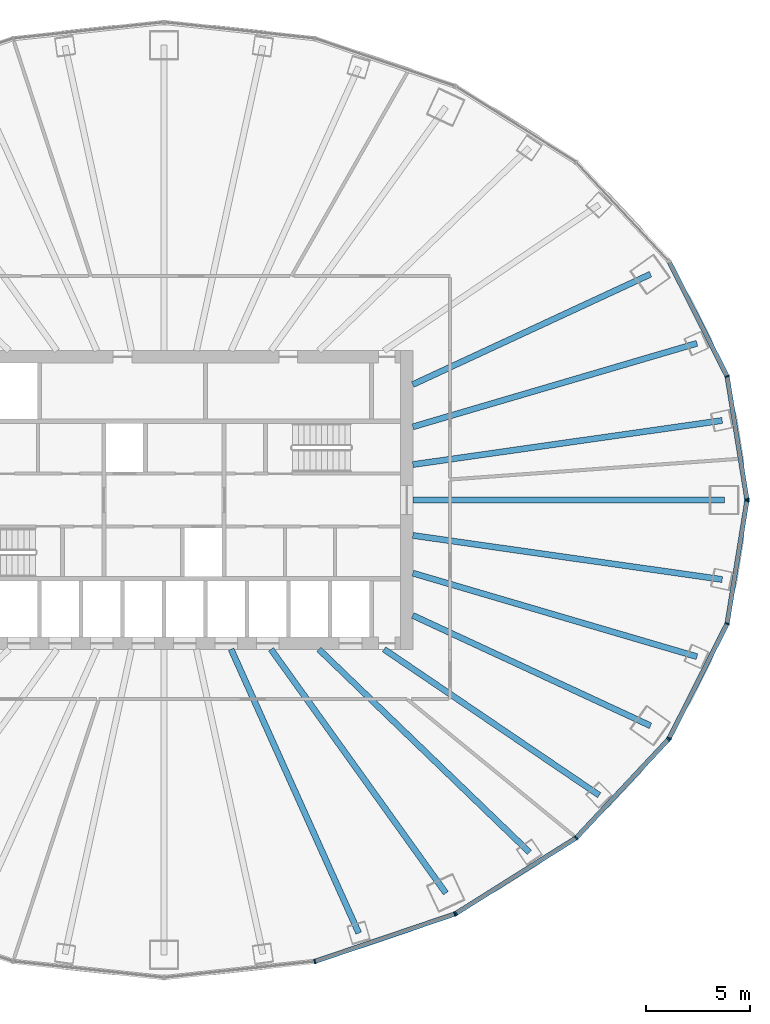
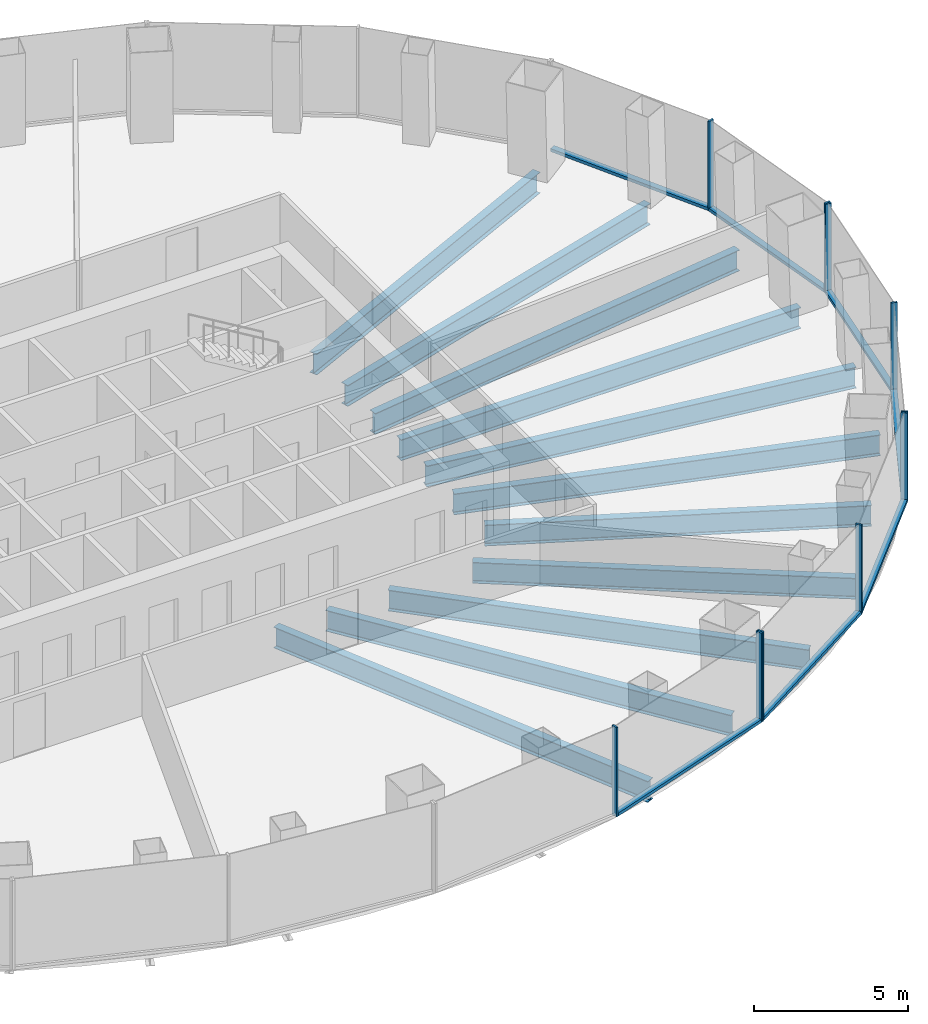
# One storey, part 4 of 11: 17 members, 11 beams, 4 elements without a shape of their own.
"""IFC4 building model written with IfcOpenShell, lengths in metres."""

from ifc_helpers import new_model, si_unit, direction, frame, origin, origin_2d, place, context, subcontext, project, spatial, rectangle, i_section, extrude, material, layer, layer_set, material_profile, profile_set, type_object, element, aggregate, save


model = new_model("IFC4")

# Units and contexts
model_context = context("Model", 3, precision=1e-05, world=origin(), true_north=direction((0.0, 1.0)))
body_context = subcontext(model_context, "Body", "Model", "MODEL_VIEW")
ifc_project = project(units=[si_unit("LENGTHUNIT", "METRE"), si_unit("AREAUNIT", "SQUARE_METRE"), si_unit("VOLUMEUNIT", "CUBIC_METRE"), si_unit("PLANEANGLEUNIT", "RADIAN"), si_unit("MASSUNIT", "GRAM", prefix="KILO")], contexts=[model_context])

# Site, building, storey
site_placement = place(None, origin())
site = spatial("IfcSite", under=ifc_project, at=site_placement, CompositionType="ELEMENT")
building_placement = place(site_placement, origin())
building = spatial("IfcBuilding", under=site, at=building_placement, Name="Siaravel Broadcast Tower", CompositionType="ELEMENT")
storey_placement = place(building_placement, frame((0.0, 0.0, 40.800048828125)))
storey = spatial("IfcBuildingStorey", under=building, at=storey_placement, Name="L08", CompositionType="ELEMENT", Elevation=40.800048828125)

# Beams
ifc_material_1 = material(Name="Steel S355", Category="steel")
ifc_material_profile_1 = material_profile(ifc_material_1, i_section(OverallWidth=0.291748046875, OverallDepth=0.8349609375, WebThickness=0.013916015625, FlangeThickness=0.018798828125, FilletRadius=0.017822265625, at=origin_2d()))
ifc_profile_set_1 = profile_set([ifc_material_profile_1], Name="Steel S355")
beam_type = type_object("IfcBeamType", Name="BM-UB 838x292x176", PredefinedType="BEAM", material=ifc_profile_set_1)
beam_1_placement = place(storey_placement, frame((27.0302734375, 0.0, -0.567626953125), z_axis=(-1.0, 0.0, 0.0), x_axis=(0.0, -1.0, 0.0)))
element("IfcBeam", 1, at=beam_1_placement, inside=storey, type_object=beam_type, Name="Radial beam RB01", PredefinedType="BEAM", context=body_context, shape_type="SweptSolid", body=[
    extrude(i_section(OverallWidth=0.291748046875, OverallDepth=0.8349609375, WebThickness=0.013916015625, FlangeThickness=0.018798828125, FilletRadius=0.017822265625, at=origin_2d()), origin(), (0.0, 0.0, 1.0), 15.0302734375),
])
beam_2_placement = place(storey_placement, frame((26.920654296875, 3.832763671875, -0.567626953125), z_axis=(-0.99001677, -0.140949618, 0.0), x_axis=(0.140949618, -0.99001677, 0.0)))
element("IfcBeam", 2, at=beam_2_placement, inside=storey, type_object=beam_type, Name="Radial beam RB02", PredefinedType="BEAM", context=body_context, shape_type="SweptSolid", body=[
    extrude(i_section(OverallWidth=0.291748046875, OverallDepth=0.8349609375, WebThickness=0.013916015625, FlangeThickness=0.018798828125, FilletRadius=0.017822265625, at=origin_2d()), origin(), (0.0, 0.0, 1.0), 15.071044921875),
])
beam_3_placement = place(storey_placement, frame((25.70263671875, 7.555908203125, -0.567626953125), z_axis=(-0.959400879, -0.282046013, 0.0), x_axis=(0.282046013, -0.959400879, 0.0)))
element("IfcBeam", 3, at=beam_3_placement, inside=storey, type_object=beam_type, Name="Radial beam RB03", PredefinedType="BEAM", context=body_context, shape_type="SweptSolid", body=[
    extrude(i_section(OverallWidth=0.291748046875, OverallDepth=0.8349609375, WebThickness=0.013916015625, FlangeThickness=0.018798828125, FilletRadius=0.017822265625, at=origin_2d()), origin(), (0.0, 0.0, 1.0), 14.282470703125),
])
beam_4_placement = place(storey_placement, frame((23.46240234375, 10.88720703125, -0.567626953125), z_axis=(-0.907099082, -0.420917159, 0.0), x_axis=(0.420917159, -0.907099082, 0.0)))
element("IfcBeam", 4, at=beam_4_placement, inside=storey, type_object=beam_type, Name="Radial beam RB04", PredefinedType="BEAM", context=body_context, shape_type="SweptSolid", body=[
    extrude(i_section(OverallWidth=0.291748046875, OverallDepth=0.8349609375, WebThickness=0.013916015625, FlangeThickness=0.018798828125, FilletRadius=0.017822265625, at=origin_2d()), origin(), (0.0, 0.0, 1.0), 12.63623046875),
])
beam_5_placement = place(storey_placement, frame((9.392578125, -20.885498046875, -0.567626953125), z_axis=(-0.410159013, 0.912014026, 0.0), x_axis=(-0.912014026, -0.410159013, 0.0)))
element("IfcBeam", 5, at=beam_5_placement, inside=storey, type_object=beam_type, Name="Radial beam RB30", PredefinedType="BEAM", context=body_context, shape_type="SweptSolid", body=[
    extrude(i_section(OverallWidth=0.291748046875, OverallDepth=0.8349609375, WebThickness=0.013916015625, FlangeThickness=0.018798828125, FilletRadius=0.017822265625, at=origin_2d()), origin(), (0.0, 0.0, 1.0), 15.005859375),
])
beam_6_placement = place(storey_placement, frame((13.5947265625, -18.960205078125, -0.567626953125), z_axis=(-0.582699127, 0.812687965, 0.0), x_axis=(-0.812687965, -0.582699127, 0.0)))
element("IfcBeam", 6, at=beam_6_placement, inside=storey, type_object=beam_type, Name="Radial beam RB31", PredefinedType="BEAM", context=body_context, shape_type="SweptSolid", body=[
    extrude(i_section(OverallWidth=0.291748046875, OverallDepth=0.8349609375, WebThickness=0.013916015625, FlangeThickness=0.018798828125, FilletRadius=0.017822265625, at=origin_2d()), origin(), (0.0, 0.0, 1.0), 14.470703125),
])
beam_7_placement = place(storey_placement, frame((17.628662109375, -16.99169921875, -0.567626953125), z_axis=(-0.719990643, 0.693983771, 0.0), x_axis=(-0.693983771, -0.719990643, 0.0)))
element("IfcBeam", 7, at=beam_7_placement, inside=storey, type_object=beam_type, Name="Radial beam RB32", PredefinedType="BEAM", context=body_context, shape_type="SweptSolid", body=[
    extrude(i_section(OverallWidth=0.291748046875, OverallDepth=0.8349609375, WebThickness=0.013916015625, FlangeThickness=0.018798828125, FilletRadius=0.017822265625, at=origin_2d()), origin(), (0.0, 0.0, 1.0), 14.109375),
])
beam_8_placement = place(storey_placement, frame((20.989990234375, -14.238525390625, -0.567626953125), z_axis=(-0.827559775, 0.561377608, 0.0), x_axis=(-0.561377608, -0.827559775, 0.0)))
element("IfcBeam", 8, at=beam_8_placement, inside=storey, type_object=beam_type, Name="Radial beam RB33", PredefinedType="BEAM", context=body_context, shape_type="SweptSolid", body=[
    extrude(i_section(OverallWidth=0.291748046875, OverallDepth=0.8349609375, WebThickness=0.013916015625, FlangeThickness=0.018798828125, FilletRadius=0.017822265625, at=origin_2d()), origin(), (0.0, 0.0, 1.0), 12.5380859375),
])
beam_9_placement = place(storey_placement, frame((23.46240234375, -10.88720703125, -0.567626953125), z_axis=(-0.907099082, 0.420917159, 0.0), x_axis=(-0.420917159, -0.907099082, 0.0)))
element("IfcBeam", 9, at=beam_9_placement, inside=storey, type_object=beam_type, Name="Radial beam RB34", PredefinedType="BEAM", context=body_context, shape_type="SweptSolid", body=[
    extrude(i_section(OverallWidth=0.291748046875, OverallDepth=0.8349609375, WebThickness=0.013916015625, FlangeThickness=0.018798828125, FilletRadius=0.017822265625, at=origin_2d()), origin(), (0.0, 0.0, 1.0), 12.63623046875),
])
beam_10_placement = place(storey_placement, frame((25.70263671875, -7.555908203125, -0.567626953125), z_axis=(-0.959400879, 0.282046013, 0.0), x_axis=(-0.282046013, -0.959400879, 0.0)))
element("IfcBeam", 10, at=beam_10_placement, inside=storey, type_object=beam_type, Name="Radial beam RB35", PredefinedType="BEAM", context=body_context, shape_type="SweptSolid", body=[
    extrude(i_section(OverallWidth=0.291748046875, OverallDepth=0.8349609375, WebThickness=0.013916015625, FlangeThickness=0.018798828125, FilletRadius=0.017822265625, at=origin_2d()), origin(), (0.0, 0.0, 1.0), 14.282470703125),
])
beam_11_placement = place(storey_placement, frame((26.920654296875, -3.832763671875, -0.567626953125), z_axis=(-0.99001677, 0.140949618, 0.0), x_axis=(-0.140949618, -0.99001677, 0.0)))
element("IfcBeam", 11, at=beam_11_placement, inside=storey, type_object=beam_type, Name="Radial beam RB36", PredefinedType="BEAM", context=body_context, shape_type="SweptSolid", body=[
    extrude(i_section(OverallWidth=0.291748046875, OverallDepth=0.8349609375, WebThickness=0.013916015625, FlangeThickness=0.018798828125, FilletRadius=0.017822265625, at=origin_2d()), origin(), (0.0, 0.0, 1.0), 15.071044921875),
])

# Curtain wall, members
ifc_material_2 = material(Name="Aluminium 6063-T6", Category="aluminium")
ifc_layer = layer(ifc_material_2, 0.219970703125)
ifc_layer_set = layer_set([ifc_layer], Name="Aluminium 6063-T6")
curtain_wall_type = type_object("IfcCurtainWallType", Name="Unitised curtain wall, zone 1", PredefinedType="NOTDEFINED", material=ifc_layer_set)
curtain_wall_1_placement = place(storey_placement, origin())
curtain_wall_1 = element("IfcCurtainWall", 12, at=curtain_wall_1_placement, inside=storey, type_object=curtain_wall_type, Name="L08 Unitised curtain wall, zone 1 01", PredefinedType="NOTDEFINED")
ifc_material_profile_2 = material_profile(ifc_material_2, rectangle(XDim=0.219970703125, YDim=0.070068359375, at=origin_2d()))
ifc_profile_set_2 = profile_set([ifc_material_profile_2], Name="Aluminium 6063-T6")
member_type_1 = type_object("IfcMemberType", Name="CW-Z1 mullion", PredefinedType="MULLION", material=ifc_profile_set_2)
member_1_placement = place(storey_placement, frame((28.110595703125, 0.03466796875, 0.0), z_axis=(0.0, 0.0, 1.0), x_axis=(-0.987329133, -0.158685802, 0.0)))
member_1 = element("IfcMember", 13, at=member_1_placement, type_object=member_type_1, Name="CW-Z1 mullion 1", PredefinedType="MULLION", context=body_context, shape_type="SweptSolid", body=[
    extrude(rectangle(XDim=0.219970703125, YDim=0.070068359375, at=origin_2d()), origin(), (0.0, 0.0, 1.0), 3.550048828125),
])
member_2_placement = place(storey_placement, frame((27.1572265625, 5.965576171875, 0.0), z_axis=(0.0, 0.0, 1.0), x_axis=(-0.951177076, -0.308645704, 0.0)))
member_2 = element("IfcMember", 14, at=member_2_placement, type_object=member_type_1, Name="CW-Z1 mullion 2", PredefinedType="MULLION", context=body_context, shape_type="SweptSolid", body=[
    extrude(rectangle(XDim=0.219970703125, YDim=0.070068359375, at=origin_2d()), origin(), (0.0, 0.0, 1.0), 3.550048828125),
])

curtain_wall_2_placement = place(storey_placement, origin())
curtain_wall_2 = element("IfcCurtainWall", 15, at=curtain_wall_2_placement, inside=storey, type_object=curtain_wall_type, Name="L08 Unitised curtain wall, zone 1 10", PredefinedType="NOTDEFINED")
member_3_placement = place(storey_placement, frame((7.27490234375, -22.2548828125, 0.0), z_axis=(0.0, 0.0, 1.0), x_axis=(-0.215558083, 0.97649102, 0.0)))
member_3 = element("IfcMember", 16, at=member_3_placement, type_object=member_type_1, Name="CW-Z1 mullion 2", PredefinedType="MULLION", context=body_context, shape_type="SweptSolid", body=[
    extrude(rectangle(XDim=0.219970703125, YDim=0.070068359375, at=origin_2d()), origin(), (0.0, 0.0, 1.0), 3.550048828125),
])
member_4_placement = place(storey_placement, frame((14.021240234375, -19.9658203125, 0.0), z_axis=(0.0, 0.0, 1.0), x_axis=(-0.321300632, 0.946977246, 0.0)))
member_4 = element("IfcMember", 17, at=member_4_placement, type_object=member_type_1, Name="CW-Z1 mullion 3", PredefinedType="MULLION", context=body_context, shape_type="SweptSolid", body=[
    extrude(rectangle(XDim=0.219970703125, YDim=0.070068359375, at=origin_2d()), origin(), (0.0, 0.0, 1.0), 3.550048828125),
])

curtain_wall_3_placement = place(storey_placement, origin())
curtain_wall_3 = element("IfcCurtainWall", 18, at=curtain_wall_3_placement, inside=storey, type_object=curtain_wall_type, Name="L08 Unitised curtain wall, zone 1 11", PredefinedType="NOTDEFINED")
member_5_placement = place(storey_placement, frame((14.083984375, -19.935791015625, 0.0), z_axis=(0.0, 0.0, 1.0), x_axis=(-0.532149101, 0.846650657, 0.0)))
member_5 = element("IfcMember", 19, at=member_5_placement, type_object=member_type_1, Name="CW-Z1 mullion 1", PredefinedType="MULLION", context=body_context, shape_type="SweptSolid", body=[
    extrude(rectangle(XDim=0.219970703125, YDim=0.070068359375, at=origin_2d()), origin(), (0.0, 0.0, 1.0), 3.550048828125),
])
member_6_placement = place(storey_placement, frame((19.87744140625, -16.294677734375, 0.0), z_axis=(0.0, 0.0, 1.0), x_axis=(-0.63621841, 0.771508998, 0.0)))
member_6 = element("IfcMember", 20, at=member_6_placement, type_object=member_type_1, Name="CW-Z1 mullion 2", PredefinedType="MULLION", context=body_context, shape_type="SweptSolid", body=[
    extrude(rectangle(XDim=0.219970703125, YDim=0.070068359375, at=origin_2d()), origin(), (0.0, 0.0, 1.0), 3.550048828125),
])
member_7_placement = place(storey_placement, frame((24.322998046875, -11.549072265625, 0.0), z_axis=(0.0, 0.0, 1.0), x_axis=(-0.729804946, 0.683655426, 0.0)))
member_7 = element("IfcMember", 21, at=member_7_placement, type_object=member_type_1, Name="CW-Z1 mullion 3", PredefinedType="MULLION", context=body_context, shape_type="SweptSolid", body=[
    extrude(rectangle(XDim=0.219970703125, YDim=0.070068359375, at=origin_2d()), origin(), (0.0, 0.0, 1.0), 3.550048828125),
])

curtain_wall_4_placement = place(storey_placement, origin())
curtain_wall_4 = element("IfcCurtainWall", 22, at=curtain_wall_4_placement, inside=storey, type_object=curtain_wall_type, Name="L08 Unitised curtain wall, zone 1 12", PredefinedType="NOTDEFINED")
member_8_placement = place(storey_placement, frame((24.362548828125, -11.4921875, 0.0), z_axis=(0.0, 0.0, 1.0), x_axis=(-0.892391814, 0.451261399, 0.0)))
member_8 = element("IfcMember", 23, at=member_8_placement, type_object=member_type_1, Name="CW-Z1 mullion 1", PredefinedType="MULLION", context=body_context, shape_type="SweptSolid", body=[
    extrude(rectangle(XDim=0.219970703125, YDim=0.070068359375, at=origin_2d()), origin(), (0.0, 0.0, 1.0), 3.550048828125),
])
member_9_placement = place(storey_placement, frame((27.1572265625, -5.965576171875, 0.0), z_axis=(0.0, 0.0, 1.0), x_axis=(-0.951177076, 0.308645704, 0.0)))
member_9 = element("IfcMember", 24, at=member_9_placement, type_object=member_type_1, Name="CW-Z1 mullion 2", PredefinedType="MULLION", context=body_context, shape_type="SweptSolid", body=[
    extrude(rectangle(XDim=0.219970703125, YDim=0.070068359375, at=origin_2d()), origin(), (0.0, 0.0, 1.0), 3.550048828125),
])
member_10_placement = place(storey_placement, frame((28.110595703125, -0.03466796875, 0.0), z_axis=(0.0, 0.0, 1.0), x_axis=(-0.987329133, 0.158685802, 0.0)))
member_10 = element("IfcMember", 25, at=member_10_placement, type_object=member_type_1, Name="CW-Z1 mullion 3", PredefinedType="MULLION", context=body_context, shape_type="SweptSolid", body=[
    extrude(rectangle(XDim=0.219970703125, YDim=0.070068359375, at=origin_2d()), origin(), (0.0, 0.0, 1.0), 3.550048828125),
])

# Member
ifc_material_profile_3 = material_profile(ifc_material_2, rectangle(XDim=0.219970703125, YDim=0.1201171875, at=origin_2d()))
ifc_profile_set_3 = profile_set([ifc_material_profile_3], Name="Aluminium 6063-T6")
member_type_2 = type_object("IfcMemberType", Name="CW-Z1 transom", PredefinedType="USERDEFINED", material=ifc_profile_set_3)
member_11_placement = place(storey_placement, frame((28.10498046875, 0.069091796875, 0.06005859375), z_axis=(-0.158681674, 0.987329796, 0.0), x_axis=(-0.987329796, -0.158681674, 0.0)))
member_11 = element("IfcMember", 26, at=member_11_placement, type_object=member_type_2, Name="CW-Z1 transom 1", ObjectType="TRANSOM", PredefinedType="USERDEFINED", context=body_context, shape_type="SweptSolid", body=[
    extrude(rectangle(XDim=0.219970703125, YDim=0.1201171875, at=origin_2d()), origin(), (0.0, 0.0, 1.0), 5.937255859375),
])

member_12_placement = place(storey_placement, frame((27.1416015625, 5.996826171875, 0.06005859375), z_axis=(-0.451275958, 0.892384452, 0.0), x_axis=(-0.892384452, -0.451275958, 0.0)))
member_12 = element("IfcMember", 27, at=member_12_placement, type_object=member_type_2, Name="CW-Z1 transom 2", ObjectType="TRANSOM", PredefinedType="USERDEFINED", context=body_context, shape_type="SweptSolid", body=[
    extrude(rectangle(XDim=0.219970703125, YDim=0.1201171875, at=origin_2d()), origin(), (0.0, 0.0, 1.0), 6.123046875),
])

aggregate(curtain_wall_1, [member_1, member_2, member_11, member_12])

member_13_placement = place(storey_placement, frame((7.307861328125, -22.24365234375, 0.06005859375), z_axis=(0.946973811, 0.321310754, 0.0), x_axis=(-0.321310754, 0.946973811, 0.0)))
member_13 = element("IfcMember", 28, at=member_13_placement, type_object=member_type_2, Name="CW-Z1 transom 2", ObjectType="TRANSOM", PredefinedType="USERDEFINED", context=body_context, shape_type="SweptSolid", body=[
    extrude(rectangle(XDim=0.219970703125, YDim=0.1201171875, at=origin_2d()), origin(), (0.0, 0.0, 1.0), 7.05419921875),
])

aggregate(curtain_wall_2, [member_3, member_4, member_13])

member_14_placement = place(storey_placement, frame((14.11376953125, -19.917236328125, 0.06005859375), z_axis=(0.846656967, 0.532139062, 0.0), x_axis=(-0.532139062, 0.846656967, 0.0)))
member_14 = element("IfcMember", 29, at=member_14_placement, type_object=member_type_2, Name="CW-Z1 transom 1", ObjectType="TRANSOM", PredefinedType="USERDEFINED", context=body_context, shape_type="SweptSolid", body=[
    extrude(rectangle(XDim=0.219970703125, YDim=0.1201171875, at=origin_2d()), origin(), (0.0, 0.0, 1.0), 6.772705078125),
])

member_15_placement = place(storey_placement, frame((19.9013671875, -16.26904296875, 0.06005859375), z_axis=(0.683654492, 0.72980582, 0.0), x_axis=(-0.72980582, 0.683654492, 0.0)))
member_15 = element("IfcMember", 30, at=member_15_placement, type_object=member_type_2, Name="CW-Z1 transom 2", ObjectType="TRANSOM", PredefinedType="USERDEFINED", context=body_context, shape_type="SweptSolid", body=[
    extrude(rectangle(XDim=0.219970703125, YDim=0.1201171875, at=origin_2d()), origin(), (0.0, 0.0, 1.0), 6.4326171875),
])

aggregate(curtain_wall_3, [member_5, member_6, member_7, member_14, member_15])

member_16_placement = place(storey_placement, frame((24.37841796875, -11.4609375, 0.06005859375), z_axis=(0.451275958, 0.892384452, 0.0), x_axis=(-0.892384452, 0.451275958, 0.0)))
member_16 = element("IfcMember", 31, at=member_16_placement, type_object=member_type_2, Name="CW-Z1 transom 1", ObjectType="TRANSOM", PredefinedType="USERDEFINED", context=body_context, shape_type="SweptSolid", body=[
    extrude(rectangle(XDim=0.219970703125, YDim=0.1201171875, at=origin_2d()), origin(), (0.0, 0.0, 1.0), 6.123046875),
])

member_17_placement = place(storey_placement, frame((27.162841796875, -5.93115234375, 0.06005859375), z_axis=(0.158681674, 0.987329796, 0.0), x_axis=(-0.987329796, 0.158681674, 0.0)))
member_17 = element("IfcMember", 32, at=member_17_placement, type_object=member_type_2, Name="CW-Z1 transom 2", ObjectType="TRANSOM", PredefinedType="USERDEFINED", context=body_context, shape_type="SweptSolid", body=[
    extrude(rectangle(XDim=0.219970703125, YDim=0.1201171875, at=origin_2d()), origin(), (0.0, 0.0, 1.0), 5.937255859375),
])

aggregate(curtain_wall_4, [member_8, member_9, member_10, member_16, member_17])

save(model, "model.ifc")
